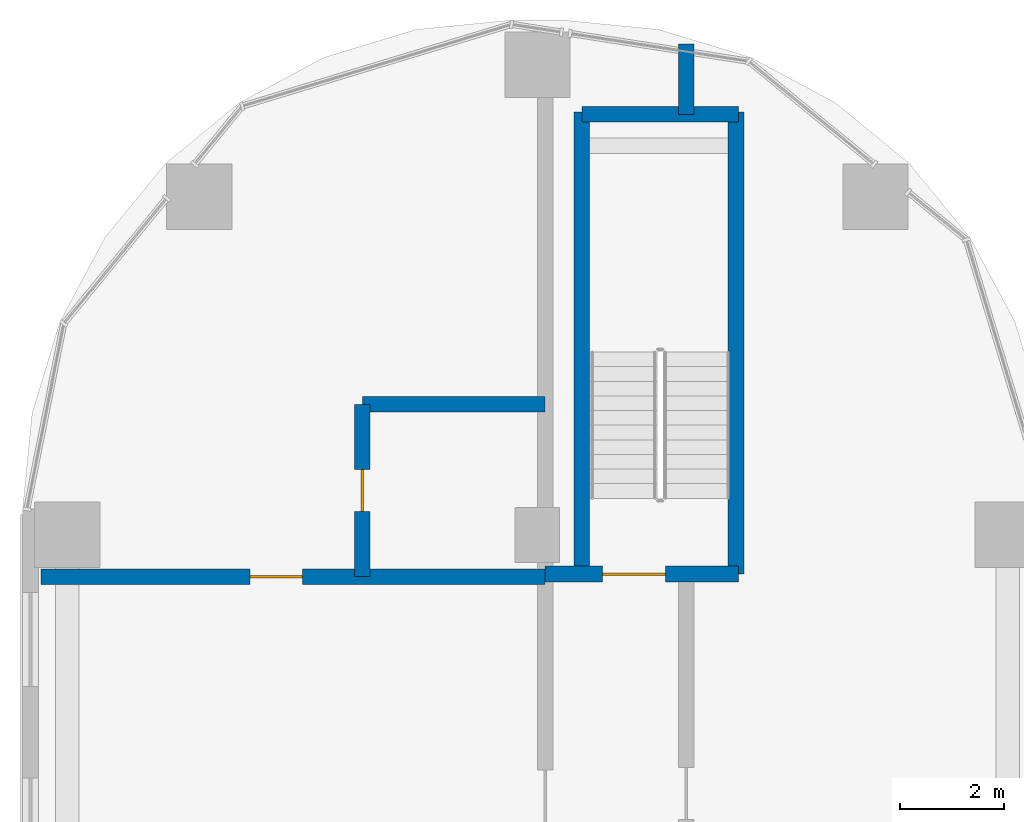
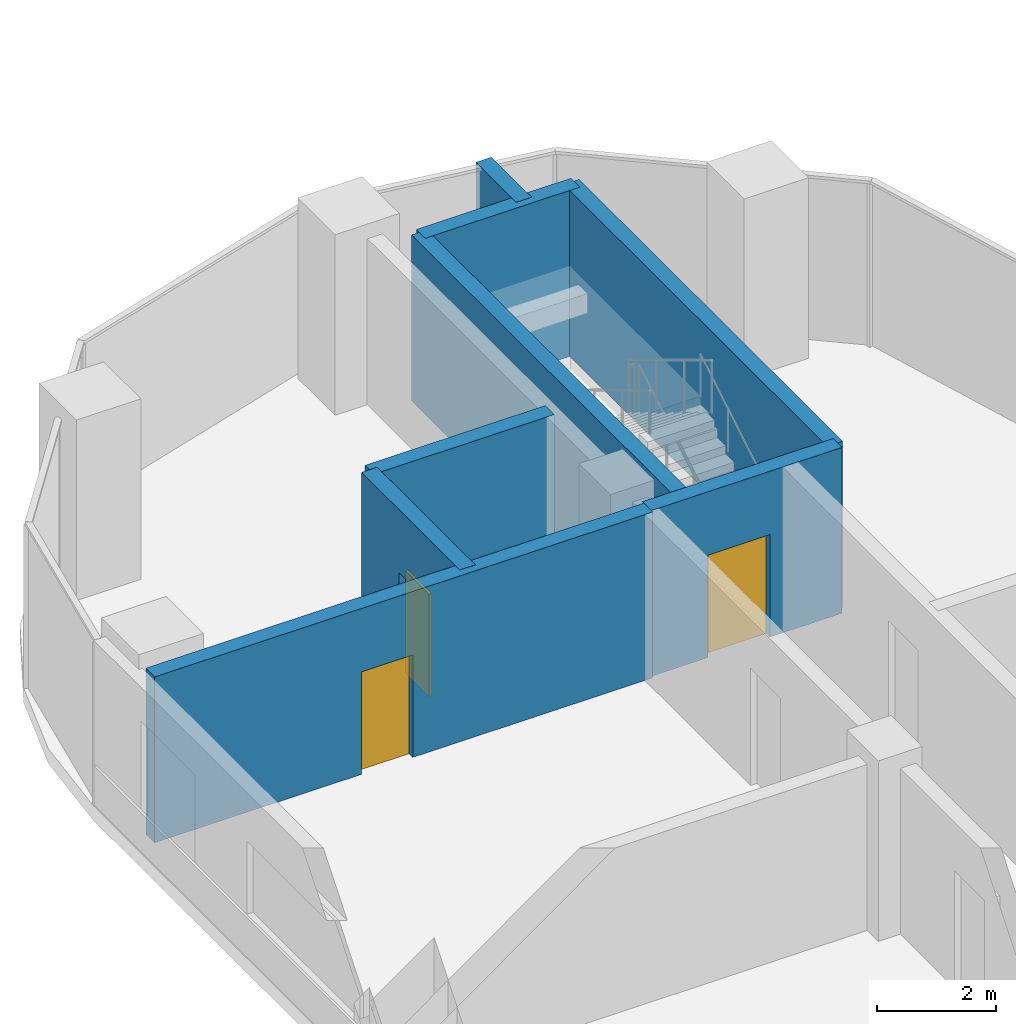
# One storey, part 23 of 35: 8 walls, 3 doors, 3 openings.
"""IFC4 building model written with IfcOpenShell, lengths in metres."""

from ifc_helpers import new_model, si_unit, direction, frame, frame_2d, origin, place, context, subcontext, project, spatial, rectangle, extrude, material, layer, layer_set, type_object, element, fill, save


model = new_model("IFC4")

# Units and contexts
model_context = context("Model", 3, precision=1e-05, world=origin(), true_north=direction((0.0, 1.0)))
body_context = subcontext(model_context, "Body", "Model", "MODEL_VIEW")
ifc_project = project(units=[si_unit("LENGTHUNIT", "METRE"), si_unit("AREAUNIT", "SQUARE_METRE"), si_unit("VOLUMEUNIT", "CUBIC_METRE"), si_unit("PLANEANGLEUNIT", "RADIAN"), si_unit("MASSUNIT", "GRAM", prefix="KILO")], contexts=[model_context])

# Site, building, storey
site_placement = place(None, origin())
site = spatial("IfcSite", under=ifc_project, at=site_placement, CompositionType="ELEMENT")
building_placement = place(site_placement, origin())
building = spatial("IfcBuilding", under=site, at=building_placement, Name="Ogive Portal Towers", CompositionType="ELEMENT")
storey_placement = place(building_placement, frame((0.0, 0.0, 90.800048828125)))
storey = spatial("IfcBuildingStorey", under=building, at=storey_placement, Name="L21", CompositionType="ELEMENT", Elevation=90.800048828125)

# Wall, opening, door
ifc_material_1 = material(Name="Concrete C50/60", Category="concrete")
ifc_layer_1 = layer(ifc_material_1, 0.300048828125)
ifc_layer_set_1 = layer_set([ifc_layer_1], Name="STAIR WALL 300 C50")
wall_type_1 = type_object("IfcWallType", Name="STAIR WALL 300 C50", PredefinedType="SHEAR", material=ifc_layer_set_1)
wall_1_placement = place(storey_placement, frame((40.64990234375, 65.75, 0.0), z_axis=(0.0, 0.0, 1.0), x_axis=(1.0, 0.0, 0.0)))
wall_1 = element("IfcWall", 1, at=wall_1_placement, inside=storey, type_object=wall_type_1, Name="Stair wall ST-A3 L21", PredefinedType="SHEAR", context=body_context, shape_type="SweptSolid", body=[
    extrude(rectangle(XDim=3.7001953125, YDim=0.300048828125, at=frame_2d((1.85009765625, 0.0))), origin(), (0.0, 0.0, 1.0), 3.39990234375),
])
opening_1_placement = place(wall_1_placement, frame((1.10009765625, 0.0, 0.0)))
opening_1 = element("IfcOpeningElement", 2, at=opening_1_placement, cuts=wall_1, Name="Opening D07-065", PredefinedType="OPENING", context=body_context, shape_type="SweptSolid", body=[
    extrude(rectangle(XDim=1.199951171875, YDim=2.10009765625, at=frame_2d((0.60009765625, 1.050048828125))), frame((0.0, 0.16015625, 0.0), z_axis=(0.0, -1.0, 0.0), x_axis=(1.0, 0.0, 0.0)), (0.0, 0.0, 1.0), 0.320068359375),
])
ifc_material_2 = material(Name="Steel fire door", Category="steel")
door_type_1 = type_object("IfcDoorType", Name="DT-STAIR-1200x2100-FD90S", OperationType="SINGLE_SWING_LEFT", PredefinedType="DOOR", material=ifc_material_2)
door_1_placement = place(opening_1_placement, origin())
door_1 = element("IfcDoor", 3, at=door_1_placement, inside=storey, type_object=door_type_1, Name="Door D07-065", OperationType="SINGLE_SWING_RIGHT", OverallHeight=2.10009765625, OverallWidth=1.199951171875, PredefinedType="DOOR", context=body_context, shape_type="SweptSolid", body=[
    extrude(rectangle(XDim=1.199951171875, YDim=2.10009765625, at=frame_2d((0.60009765625, 1.050048828125))), frame((0.0, 0.02490234375, 0.0), z_axis=(0.0, -1.0, 0.0), x_axis=(1.0, 0.0, 0.0)), (0.0, 0.0, 1.0), 0.050048828125),
])
fill(opening_1, door_1)

# Walls
wall_2_placement = place(storey_placement, frame((41.35009765625, 74.550048828125, 0.0), z_axis=(0.0, 0.0, 1.0), x_axis=(1.0, 0.0, 0.0)))
element("IfcWall", 4, at=wall_2_placement, inside=storey, type_object=wall_type_1, Name="Stair wall ST-A3 L21", PredefinedType="SHEAR", context=body_context, shape_type="SweptSolid", body=[
    extrude(rectangle(XDim=3.0, YDim=0.300048828125, at=frame_2d((1.5, 0.0))), origin(), (0.0, 0.0, 1.0), 3.39990234375),
])
for number, where, z_axis, x_axis, name in (
    (5, (41.35009765625, 65.75, 0.0), (0.0, 0.0, 1.0), (0.0, 1.0, 0.0), "Stair wall ST-A3 L21"),
    (6, (44.300048828125, 65.75, 0.0), (0.0, 0.0, 1.0), (0.0, 1.0, 0.0), "Stair wall ST-A3 L21"),
):
    element("IfcWall", number, at=place(storey_placement, frame(where, z_axis=z_axis, x_axis=x_axis)), inside=storey, type_object=wall_type_1, Name=name, PredefinedType="SHEAR", context=body_context, shape_type="SweptSolid", body=[
        extrude(rectangle(XDim=8.85009765625, YDim=0.300048828125, at=frame_2d((4.425048828125, 0.0))), origin(), (0.0, 0.0, 1.0), 3.39990234375),
    ])

# Wall, opening, door
ifc_material_3 = material(Name="Gypsum board partition on steel studs", Category="steel")
ifc_layer_2 = layer(ifc_material_3, 0.300048828125)
ifc_layer_set_2 = layer_set([ifc_layer_2], Name="WT-PART-300-EI 60")
wall_type_2 = type_object("IfcWallType", Name="WT-PART-300-EI 60", PredefinedType="PARTITIONING", material=ifc_layer_set_2)
wall_3_placement = place(storey_placement, frame((30.9951171875, 65.699951171875, 0.0), z_axis=(0.0, 0.0, 1.0), x_axis=(1.0, 0.0, 0.0)))
wall_3 = element("IfcWall", 7, at=wall_3_placement, inside=storey, type_object=wall_type_2, Name="Wall L21:w028", PredefinedType="PARTITIONING", context=body_context, shape_type="SweptSolid", body=[
    extrude(rectangle(XDim=9.65478515625, YDim=0.300048828125, at=frame_2d((4.827392578125, 0.0))), origin(), (0.0, 0.0, 1.0), 3.39990234375),
])
opening_2_placement = place(wall_3_placement, frame((4.0048828125, 0.0, 0.0)))
opening_2 = element("IfcOpeningElement", 8, at=opening_2_placement, cuts=wall_3, Name="Opening D07-059", PredefinedType="OPENING", context=body_context, shape_type="SweptSolid", body=[
    extrude(rectangle(XDim=1.0, YDim=2.10009765625, at=frame_2d((0.5, 1.050048828125))), frame((0.0, 0.16015625, 0.0), z_axis=(0.0, -1.0, 0.0), x_axis=(1.0, 0.0, 0.0)), (0.0, 0.0, 1.0), 0.320068359375),
])
door_type_2 = type_object("IfcDoorType", Name="DT-ENTRY-1000x2100-FD60S", OperationType="SINGLE_SWING_LEFT", PredefinedType="DOOR", material=ifc_material_2)
door_2_placement = place(opening_2_placement, origin())
door_2 = element("IfcDoor", 9, at=door_2_placement, inside=storey, type_object=door_type_2, Name="Door D07-059", OperationType="SINGLE_SWING_LEFT", OverallHeight=2.10009765625, OverallWidth=1.0, PredefinedType="DOOR", context=body_context, shape_type="SweptSolid", body=[
    extrude(rectangle(XDim=1.0, YDim=2.10009765625, at=frame_2d((0.5, 1.050048828125))), frame((0.0, 0.02490234375, 0.0), z_axis=(0.0, -1.0, 0.0), x_axis=(1.0, 0.0, 0.0)), (0.0, 0.0, 1.0), 0.050048828125),
])
fill(opening_2, door_2)

# Wall
wall_4_placement = place(storey_placement, frame((37.14990234375, 69.0, 0.0), z_axis=(0.0, 0.0, 1.0), x_axis=(1.0, 0.0, 0.0)))
element("IfcWall", 10, at=wall_4_placement, inside=storey, type_object=wall_type_2, Name="Wall L21:w030", PredefinedType="PARTITIONING", context=body_context, shape_type="SweptSolid", body=[
    extrude(rectangle(XDim=3.5, YDim=0.300048828125, at=frame_2d((1.75, 0.0))), origin(), (0.0, 0.0, 1.0), 3.39990234375),
])

# Wall, opening, door
wall_5_placement = place(storey_placement, frame((37.14990234375, 65.699951171875, 0.0), z_axis=(0.0, 0.0, 1.0), x_axis=(0.0, 1.0, 0.0)))
wall_5 = element("IfcWall", 11, at=wall_5_placement, inside=storey, type_object=wall_type_2, Name="Wall L21:w033", PredefinedType="PARTITIONING", context=body_context, shape_type="SweptSolid", body=[
    extrude(rectangle(XDim=3.300048828125, YDim=0.300048828125, at=frame_2d((1.64990234375, 0.0))), origin(), (0.0, 0.0, 1.0), 3.39990234375),
])
opening_3_placement = place(wall_5_placement, frame((1.25, 0.0, 0.0)))
opening_3 = element("IfcOpeningElement", 12, at=opening_3_placement, cuts=wall_5, Name="Opening D07-060", PredefinedType="OPENING", context=body_context, shape_type="SweptSolid", body=[
    extrude(rectangle(XDim=0.800048828125, YDim=2.10009765625, at=frame_2d((0.39990234375, 1.050048828125))), frame((0.0, 0.16015625, 0.0), z_axis=(0.0, -1.0, 0.0), x_axis=(1.0, 0.0, 0.0)), (0.0, 0.0, 1.0), 0.320068359375),
])
door_type_3 = type_object("IfcDoorType", Name="DT-BATH-800x2100-FD60S", OperationType="SINGLE_SWING_LEFT", PredefinedType="DOOR", material=ifc_material_2)
door_3_placement = place(opening_3_placement, origin())
door_3 = element("IfcDoor", 13, at=door_3_placement, inside=storey, type_object=door_type_3, Name="Door D07-060", OperationType="SINGLE_SWING_LEFT", OverallHeight=2.10009765625, OverallWidth=0.800048828125, PredefinedType="DOOR", context=body_context, shape_type="SweptSolid", body=[
    extrude(rectangle(XDim=0.800048828125, YDim=2.10009765625, at=frame_2d((0.39990234375, 1.050048828125))), frame((0.0, 0.02490234375, 0.0), z_axis=(0.0, -1.0, 0.0), x_axis=(1.0, 0.0, 0.0)), (0.0, 0.0, 1.0), 0.050048828125),
])
fill(opening_3, door_3)

# Wall
ifc_material_4 = material(Name="Concrete C40/50", Category="concrete")
ifc_layer_3 = layer(ifc_material_4, 0.300048828125)
ifc_layer_set_3 = layer_set([ifc_layer_3], Name="WT-SHAFT-300")
wall_type_3 = type_object("IfcWallType", Name="WT-SHAFT-300", PredefinedType="SOLIDWALL", material=ifc_layer_set_3)
wall_6_placement = place(storey_placement, frame((43.35009765625, 74.550048828125, 0.0), z_axis=(0.0, 0.0, 1.0), x_axis=(0.0, 1.0, 0.0)))
element("IfcWall", 14, at=wall_6_placement, inside=storey, type_object=wall_type_3, Name="Wall L21:w038", PredefinedType="SOLIDWALL", context=body_context, shape_type="SweptSolid", body=[
    extrude(rectangle(XDim=1.35205078125, YDim=0.300048828125, at=frame_2d((0.676025390625, 0.0))), origin(), (0.0, 0.0, 1.0), 3.39990234375),
])

save(model, "model.ifc")
